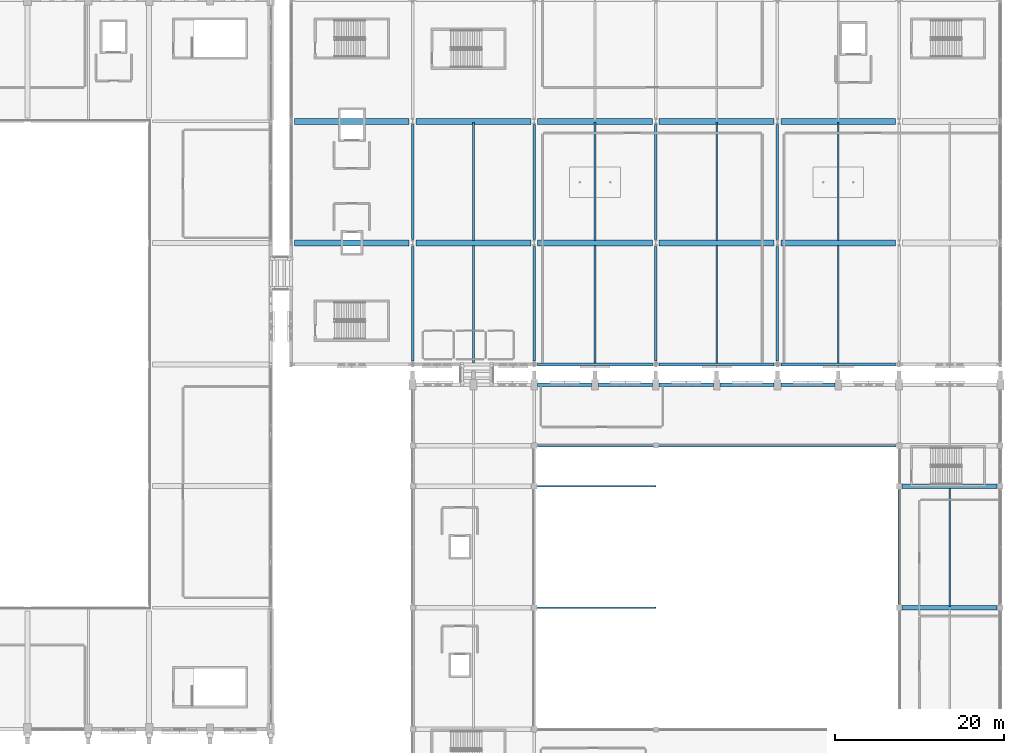
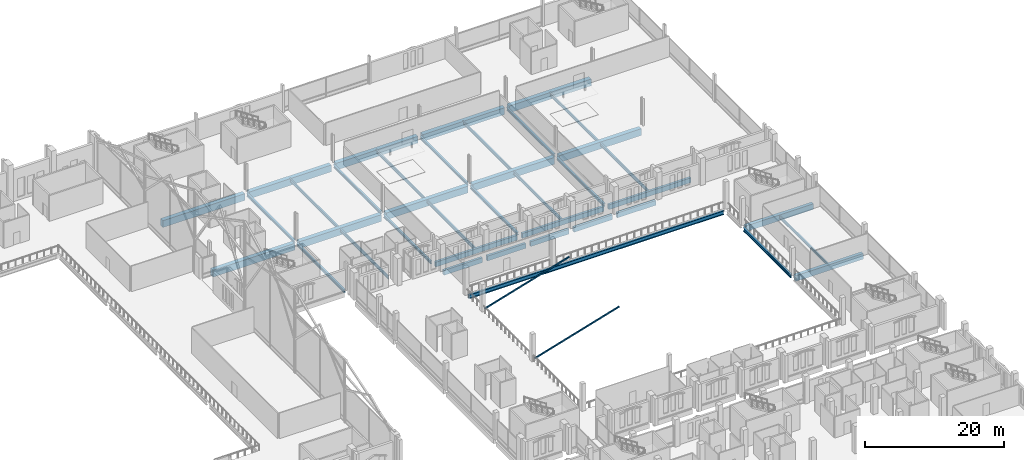
# One storey, part 110 of 220: 39 beams, 2 members.
"""IFC4 building model written with IfcOpenShell, lengths in metres."""

from ifc_helpers import new_model, si_unit, direction, frame, origin, origin_2d, place, context, subcontext, project, spatial, rectangle, hollow_rectangle, i_section, extrude, material, material_profile, profile_set, type_object, element, save


model = new_model("IFC4")

# Units and contexts
model_context = context("Model", 3, precision=1e-05, world=origin(), true_north=direction((0.0, 1.0)))
body_context = subcontext(model_context, "Body", "Model", "MODEL_VIEW")
ifc_project = project(units=[si_unit("LENGTHUNIT", "METRE"), si_unit("AREAUNIT", "SQUARE_METRE"), si_unit("VOLUMEUNIT", "CUBIC_METRE"), si_unit("PLANEANGLEUNIT", "RADIAN"), si_unit("MASSUNIT", "GRAM", prefix="KILO")], contexts=[model_context])

# Site, building, storey
site_placement = place(None, origin())
site = spatial("IfcSite", under=ifc_project, at=site_placement, CompositionType="ELEMENT")
building_placement = place(site_placement, origin())
building = spatial("IfcBuilding", under=site, at=building_placement, Name="Cendralis Lancet Convention Centre", CompositionType="ELEMENT")
storey_placement = place(building_placement, frame((0.0, 0.0, 5.39990234375)))
storey = spatial("IfcBuildingStorey", under=building, at=storey_placement, Name="L01", CompositionType="ELEMENT", Elevation=5.39990234375)

# Beams
ifc_material_1 = material(Name="Concrete G40 (C40/50)", Category="concrete")
ifc_material_profile_1 = material_profile(ifc_material_1, rectangle(XDim=0.699951171875, YDim=1.199951171875, at=origin_2d()), Name="RCB 700x1200")
ifc_profile_set_1 = profile_set([ifc_material_profile_1], Name="Concrete G40 (C40/50)")
beam_type_1 = type_object("IfcBeamType", Name="STR-BM-BG01", PredefinedType="BEAM", material=ifc_profile_set_1)
beam_1_placement = place(storey_placement, frame((125.199951171875, 108.0, -0.8798828125), z_axis=(1.0, 0.0, 0.0), x_axis=(0.0, 1.0, 0.0)))
element("IfcBeam", 1, at=beam_1_placement, inside=storey, type_object=beam_type_1, Name="L01 Beam BG01 #1645", PredefinedType="BEAM", context=body_context, shape_type="SweptSolid", body=[
    extrude(rectangle(XDim=0.699951171875, YDim=1.199951171875, at=origin_2d()), origin(), (0.0, 0.0, 1.0), 13.60009765625),
])
beam_2_placement = place(storey_placement, frame((139.60009765625, 108.0, -0.8798828125), z_axis=(1.0, 0.0, 0.0), x_axis=(0.0, 1.0, 0.0)))
element("IfcBeam", 2, at=beam_2_placement, inside=storey, type_object=beam_type_1, Name="L01 Beam BG01 #1646", PredefinedType="BEAM", context=body_context, shape_type="SweptSolid", body=[
    extrude(rectangle(XDim=0.699951171875, YDim=1.199951171875, at=origin_2d()), origin(), (0.0, 0.0, 1.0), 13.599853515625),
])
for number, where, z_axis, x_axis, name in (
    (3, (154.0, 108.0, -0.8798828125), (1.0, 0.0, 0.0), (0.0, 1.0, 0.0), "L01 Beam BG01 #1647"),
    (4, (168.39990234375, 108.0, -0.8798828125), (1.0, 0.0, 0.0), (0.0, 1.0, 0.0), "L01 Beam BG01 #1648"),
):
    element("IfcBeam", number, at=place(storey_placement, frame(where, z_axis=z_axis, x_axis=x_axis)), inside=storey, type_object=beam_type_1, Name=name, PredefinedType="BEAM", context=body_context, shape_type="SweptSolid", body=[
        extrude(rectangle(XDim=0.699951171875, YDim=1.199951171875, at=origin_2d()), origin(), (0.0, 0.0, 1.0), 13.60009765625),
    ])
beam_3_placement = place(storey_placement, frame((182.800048828125, 108.0, -0.8798828125), z_axis=(1.0, 0.0, 0.0), x_axis=(0.0, 1.0, 0.0)))
element("IfcBeam", 5, at=beam_3_placement, inside=storey, type_object=beam_type_1, Name="L01 Beam BG01 #1649", PredefinedType="BEAM", context=body_context, shape_type="SweptSolid", body=[
    extrude(rectangle(XDim=0.699951171875, YDim=1.199951171875, at=origin_2d()), origin(), (0.0, 0.0, 1.0), 13.599853515625),
])
beam_4_placement = place(storey_placement, frame((125.199951171875, 122.39990234375, -0.8798828125), z_axis=(1.0, 0.0, 0.0), x_axis=(0.0, 1.0, 0.0)))
element("IfcBeam", 6, at=beam_4_placement, inside=storey, type_object=beam_type_1, Name="L01 Beam BG01 #1651", PredefinedType="BEAM", context=body_context, shape_type="SweptSolid", body=[
    extrude(rectangle(XDim=0.699951171875, YDim=1.199951171875, at=origin_2d()), origin(), (0.0, 0.0, 1.0), 13.60009765625),
])
beam_5_placement = place(storey_placement, frame((139.60009765625, 122.39990234375, -0.8798828125), z_axis=(1.0, 0.0, 0.0), x_axis=(0.0, 1.0, 0.0)))
element("IfcBeam", 7, at=beam_5_placement, inside=storey, type_object=beam_type_1, Name="L01 Beam BG01 #1652", PredefinedType="BEAM", context=body_context, shape_type="SweptSolid", body=[
    extrude(rectangle(XDim=0.699951171875, YDim=1.199951171875, at=origin_2d()), origin(), (0.0, 0.0, 1.0), 13.599853515625),
])
for number, where, z_axis, x_axis, name in (
    (8, (154.0, 122.39990234375, -0.8798828125), (1.0, 0.0, 0.0), (0.0, 1.0, 0.0), "L01 Beam BG01 #1653"),
    (9, (168.39990234375, 122.39990234375, -0.8798828125), (1.0, 0.0, 0.0), (0.0, 1.0, 0.0), "L01 Beam BG01 #1654"),
):
    element("IfcBeam", number, at=place(storey_placement, frame(where, z_axis=z_axis, x_axis=x_axis)), inside=storey, type_object=beam_type_1, Name=name, PredefinedType="BEAM", context=body_context, shape_type="SweptSolid", body=[
        extrude(rectangle(XDim=0.699951171875, YDim=1.199951171875, at=origin_2d()), origin(), (0.0, 0.0, 1.0), 13.60009765625),
    ])
beam_6_placement = place(storey_placement, frame((182.800048828125, 122.39990234375, -0.8798828125), z_axis=(1.0, 0.0, 0.0), x_axis=(0.0, 1.0, 0.0)))
element("IfcBeam", 10, at=beam_6_placement, inside=storey, type_object=beam_type_1, Name="L01 Beam BG01 #1655", PredefinedType="BEAM", context=body_context, shape_type="SweptSolid", body=[
    extrude(rectangle(XDim=0.699951171875, YDim=1.199951171875, at=origin_2d()), origin(), (0.0, 0.0, 1.0), 13.599853515625),
])
ifc_material_profile_2 = material_profile(ifc_material_1, rectangle(XDim=0.550048828125, YDim=1.0, at=origin_2d()), Name="RCB 550x1000")
ifc_profile_set_2 = profile_set([ifc_material_profile_2], Name="Concrete G40 (C40/50)")
beam_type_2 = type_object("IfcBeamType", Name="STR-BM-BG05", PredefinedType="BEAM", material=ifc_profile_set_2)
for number, where, z_axis, x_axis, name in (
    (11, (197.175048828125, 64.800048828125, -0.77978515625), (1.0, 0.0, 0.0), (0.0, 1.0, 0.0), "L01 Beam BG05 #1416"),
    (12, (197.175048828125, 79.199951171875, -0.77978515625), (1.0, 0.0, 0.0), (0.0, 1.0, 0.0), "L01 Beam BG05 #1418"),
):
    element("IfcBeam", number, at=place(storey_placement, frame(where, z_axis=z_axis, x_axis=x_axis)), inside=storey, type_object=beam_type_2, Name=name, PredefinedType="BEAM", context=body_context, shape_type="SweptSolid", body=[
        extrude(rectangle(XDim=0.550048828125, YDim=1.0, at=origin_2d()), origin(), (0.0, 0.0, 1.0), 11.25),
    ])
ifc_material_2 = material(Name="Steel S355", Category="steel")
ifc_material_profile_3 = material_profile(ifc_material_2, i_section(OverallWidth=0.300048828125, OverallDepth=0.699951171875, WebThickness=0.01708984375, FlangeThickness=0.031982421875, FilletRadius=0.027099609375, at=origin_2d()), Name="HEB 700")
ifc_profile_set_3 = profile_set([ifc_material_profile_3], Name="Steel S355")
beam_type_3 = type_object("IfcBeamType", Name="STR-BM-SG07", PredefinedType="BEAM", material=ifc_profile_set_3)
beam_7_placement = place(storey_placement, frame((153.97509765625, 84.0, -0.6298828125), z_axis=(1.0, 0.0, 0.0), x_axis=(0.0, 1.0, 0.0)))
element("IfcBeam", 13, at=beam_7_placement, inside=storey, type_object=beam_type_3, Name="L01 Beam SG07 #1420", PredefinedType="BEAM", context=body_context, shape_type="SweptSolid", body=[
    extrude(i_section(OverallWidth=0.300048828125, OverallDepth=0.699951171875, WebThickness=0.01708984375, FlangeThickness=0.031982421875, FilletRadius=0.027099609375, at=origin_2d()), origin(), (0.0, 0.0, 1.0), 42.449951171875),
])
ifc_material_profile_4 = material_profile(ifc_material_2, i_section(OverallWidth=0.300048828125, OverallDepth=0.590087890625, WebThickness=0.012939453125, FlangeThickness=0.02490234375, FilletRadius=0.027099609375, at=origin_2d()), Name="HEA 600")
ifc_profile_set_4 = profile_set([ifc_material_profile_4], Name="Steel S355")
beam_type_4 = type_object("IfcBeamType", Name="STR-BM-SG10", PredefinedType="BEAM", material=ifc_profile_set_4)
beam_8_placement = place(storey_placement, frame((196.800048828125, 65.175048828125, -0.574951171875), z_axis=(0.0, 1.0, 0.0), x_axis=(-1.0, 0.0, 0.0)))
element("IfcBeam", 14, at=beam_8_placement, inside=storey, type_object=beam_type_4, Name="L01 Beam SG10 #1434", PredefinedType="BEAM", context=body_context, shape_type="SweptSolid", body=[
    extrude(i_section(OverallWidth=0.300048828125, OverallDepth=0.590087890625, WebThickness=0.012939453125, FlangeThickness=0.02490234375, FilletRadius=0.027099609375, at=origin_2d()), origin(), (0.0, 0.0, 1.0), 13.64990234375),
])
ifc_material_profile_5 = material_profile(ifc_material_2, i_section(OverallWidth=0.300048828125, OverallDepth=0.489990234375, WebThickness=0.011962890625, FlangeThickness=0.02294921875, FilletRadius=0.027099609375, at=origin_2d()), Name="HEA 500")
ifc_profile_set_5 = profile_set([ifc_material_profile_5], Name="Steel S355")
beam_type_5 = type_object("IfcBeamType", Name="STR-BM-SG12", PredefinedType="BEAM", material=ifc_profile_set_5)
for number, where, z_axis, x_axis, name in (
    (15, (139.199951171875, 94.0, -0.52490234375), (0.0, 1.0, 0.0), (-1.0, 0.0, 0.0), "L01 Beam SG12 #1666"),
    (16, (139.199951171875, 108.39990234375, -0.52490234375), (0.0, 1.0, 0.0), (-1.0, 0.0, 0.0), "L01 Beam SG12 #1667"),
    (17, (153.60009765625, 94.0, -0.52490234375), (0.0, 1.0, 0.0), (-1.0, 0.0, 0.0), "L01 Beam SG12 #1669"),
    (18, (153.60009765625, 108.39990234375, -0.52490234375), (0.0, 1.0, 0.0), (-1.0, 0.0, 0.0), "L01 Beam SG12 #1670"),
    (19, (168.0, 94.0, -0.52490234375), (0.0, 1.0, 0.0), (-1.0, 0.0, 0.0), "L01 Beam SG12 #1672"),
    (20, (168.0, 108.39990234375, -0.52490234375), (0.0, 1.0, 0.0), (-1.0, 0.0, 0.0), "L01 Beam SG12 #1673"),
    (21, (182.39990234375, 94.0, -0.52490234375), (0.0, 1.0, 0.0), (-1.0, 0.0, 0.0), "L01 Beam SG12 #1675"),
    (22, (182.39990234375, 108.39990234375, -0.52490234375), (0.0, 1.0, 0.0), (-1.0, 0.0, 0.0), "L01 Beam SG12 #1676"),
):
    element("IfcBeam", number, at=place(storey_placement, frame(where, z_axis=z_axis, x_axis=x_axis)), inside=storey, type_object=beam_type_5, Name=name, PredefinedType="BEAM", context=body_context, shape_type="SweptSolid", body=[
        extrude(i_section(OverallWidth=0.300048828125, OverallDepth=0.489990234375, WebThickness=0.011962890625, FlangeThickness=0.02294921875, FilletRadius=0.027099609375, at=origin_2d()), origin(), (0.0, 0.0, 1.0), 13.60009765625),
    ])

# Members
ifc_material_profile_6 = material_profile(ifc_material_2, hollow_rectangle(XDim=0.199951171875, YDim=0.199951171875, WallThickness=0.010009765625, at=origin_2d()), Name="SHS 200x200x10.0")
ifc_profile_set_6 = profile_set([ifc_material_profile_6], Name="Steel S355")
member_type = type_object("IfcMemberType", Name="STR-BR-ST01", PredefinedType="STRUT", material=ifc_profile_set_6)
for number, where, z_axis, x_axis, name in (
    (23, (153.925048828125, 64.800048828125, 0.2001953125), (0.958247498804, 0.0, 0.285940082946), (0.0, 1.0, 0.0), "Plenary Upper Stand Knee-Brace Strut ST01-02"),
    (24, (153.925048828125, 79.199951171875, 0.2001953125), (0.958247498804, 0.0, 0.285940082946), (0.0, 1.0, 0.0), "Plenary Upper Stand Knee-Brace Strut ST01-03"),
):
    element("IfcMember", number, at=place(storey_placement, frame(where, z_axis=z_axis, x_axis=x_axis)), inside=storey, type_object=member_type, Name=name, PredefinedType="STRUT", context=body_context, shape_type="SweptSolid", body=[
        extrude(hollow_rectangle(XDim=0.199951171875, YDim=0.199951171875, WallThickness=0.010009765625, at=origin_2d()), origin(), (0.0, 0.0, 1.0), 14.688232421875),
    ])

# Beams
ifc_material_profile_7 = material_profile(ifc_material_2, i_section(OverallWidth=0.2099609375, OverallDepth=0.550048828125, WebThickness=0.010986328125, FlangeThickness=0.01708984375, FilletRadius=0.02392578125, at=origin_2d()), Name="IPE 550")
ifc_profile_set_7 = profile_set([ifc_material_profile_7], Name="Steel S355")
beam_type_6 = type_object("IfcBeamType", Name="STR-JS-BJ05", PredefinedType="JOIST", material=ifc_profile_set_7)
beam_9_placement = place(storey_placement, frame((146.39990234375, 93.800048828125, -0.554931640625), z_axis=(0.0, 1.0, 0.0), x_axis=(-1.0, 0.0, 0.0)))
element("IfcBeam", 25, at=beam_9_placement, inside=storey, type_object=beam_type_6, Name="L01 Beam BJ05 #1684", PredefinedType="JOIST", context=body_context, shape_type="SweptSolid", body=[
    extrude(i_section(OverallWidth=0.2099609375, OverallDepth=0.550048828125, WebThickness=0.010986328125, FlangeThickness=0.01708984375, FilletRadius=0.02392578125, at=origin_2d()), origin(), (0.0, 0.0, 1.0), 13.89990234375),
])
beam_10_placement = place(storey_placement, frame((146.39990234375, 108.300048828125, -0.554931640625), z_axis=(0.0, 1.0, 0.0), x_axis=(-1.0, 0.0, 0.0)))
element("IfcBeam", 26, at=beam_10_placement, inside=storey, type_object=beam_type_6, Name="L01 Beam BJ05 #1685", PredefinedType="JOIST", context=body_context, shape_type="SweptSolid", body=[
    extrude(i_section(OverallWidth=0.2099609375, OverallDepth=0.550048828125, WebThickness=0.010986328125, FlangeThickness=0.01708984375, FilletRadius=0.02392578125, at=origin_2d()), origin(), (0.0, 0.0, 1.0), 13.949951171875),
])
beam_11_placement = place(storey_placement, frame((160.800048828125, 93.800048828125, -0.554931640625), z_axis=(0.0, 1.0, 0.0), x_axis=(-1.0, 0.0, 0.0)))
element("IfcBeam", 27, at=beam_11_placement, inside=storey, type_object=beam_type_6, Name="L01 Beam BJ05 #1686", PredefinedType="JOIST", context=body_context, shape_type="SweptSolid", body=[
    extrude(i_section(OverallWidth=0.2099609375, OverallDepth=0.550048828125, WebThickness=0.010986328125, FlangeThickness=0.01708984375, FilletRadius=0.02392578125, at=origin_2d()), origin(), (0.0, 0.0, 1.0), 13.89990234375),
])
beam_12_placement = place(storey_placement, frame((160.800048828125, 108.300048828125, -0.554931640625), z_axis=(0.0, 1.0, 0.0), x_axis=(-1.0, 0.0, 0.0)))
element("IfcBeam", 28, at=beam_12_placement, inside=storey, type_object=beam_type_6, Name="L01 Beam BJ05 #1687", PredefinedType="JOIST", context=body_context, shape_type="SweptSolid", body=[
    extrude(i_section(OverallWidth=0.2099609375, OverallDepth=0.550048828125, WebThickness=0.010986328125, FlangeThickness=0.01708984375, FilletRadius=0.02392578125, at=origin_2d()), origin(), (0.0, 0.0, 1.0), 13.949951171875),
])
beam_13_placement = place(storey_placement, frame((175.199951171875, 93.800048828125, -0.554931640625), z_axis=(0.0, 1.0, 0.0), x_axis=(-1.0, 0.0, 0.0)))
element("IfcBeam", 29, at=beam_13_placement, inside=storey, type_object=beam_type_6, Name="L01 Beam BJ05 #1689", PredefinedType="JOIST", context=body_context, shape_type="SweptSolid", body=[
    extrude(i_section(OverallWidth=0.2099609375, OverallDepth=0.550048828125, WebThickness=0.010986328125, FlangeThickness=0.01708984375, FilletRadius=0.02392578125, at=origin_2d()), origin(), (0.0, 0.0, 1.0), 13.89990234375),
])
beam_14_placement = place(storey_placement, frame((175.199951171875, 108.300048828125, -0.554931640625), z_axis=(0.0, 1.0, 0.0), x_axis=(-1.0, 0.0, 0.0)))
element("IfcBeam", 30, at=beam_14_placement, inside=storey, type_object=beam_type_6, Name="L01 Beam BJ05 #1690", PredefinedType="JOIST", context=body_context, shape_type="SweptSolid", body=[
    extrude(i_section(OverallWidth=0.2099609375, OverallDepth=0.550048828125, WebThickness=0.010986328125, FlangeThickness=0.01708984375, FilletRadius=0.02392578125, at=origin_2d()), origin(), (0.0, 0.0, 1.0), 13.949951171875),
])
beam_15_placement = place(storey_placement, frame((189.60009765625, 93.800048828125, -0.554931640625), z_axis=(0.0, 1.0, 0.0), x_axis=(-1.0, 0.0, 0.0)))
element("IfcBeam", 31, at=beam_15_placement, inside=storey, type_object=beam_type_6, Name="L01 Beam BJ05 #1692", PredefinedType="JOIST", context=body_context, shape_type="SweptSolid", body=[
    extrude(i_section(OverallWidth=0.2099609375, OverallDepth=0.550048828125, WebThickness=0.010986328125, FlangeThickness=0.01708984375, FilletRadius=0.02392578125, at=origin_2d()), origin(), (0.0, 0.0, 1.0), 13.89990234375),
])
beam_16_placement = place(storey_placement, frame((189.60009765625, 108.300048828125, -0.554931640625), z_axis=(0.0, 1.0, 0.0), x_axis=(-1.0, 0.0, 0.0)))
element("IfcBeam", 32, at=beam_16_placement, inside=storey, type_object=beam_type_6, Name="L01 Beam BJ05 #1693", PredefinedType="JOIST", context=body_context, shape_type="SweptSolid", body=[
    extrude(i_section(OverallWidth=0.2099609375, OverallDepth=0.550048828125, WebThickness=0.010986328125, FlangeThickness=0.01708984375, FilletRadius=0.02392578125, at=origin_2d()), origin(), (0.0, 0.0, 1.0), 13.949951171875),
])
ifc_material_profile_8 = material_profile(ifc_material_2, i_section(OverallWidth=0.199951171875, OverallDepth=0.5, WebThickness=0.01025390625, FlangeThickness=0.01611328125, FilletRadius=0.02099609375, at=origin_2d()), Name="IPE 500")
ifc_profile_set_8 = profile_set([ifc_material_profile_8], Name="Steel S355")
beam_type_7 = type_object("IfcBeamType", Name="STR-JS-BJ06", PredefinedType="JOIST", material=ifc_profile_set_8)
beam_17_placement = place(storey_placement, frame((202.800048828125, 64.949951171875, -0.52978515625), z_axis=(0.0, 1.0, 0.0), x_axis=(-1.0, 0.0, 0.0)))
element("IfcBeam", 33, at=beam_17_placement, inside=storey, type_object=beam_type_7, Name="L01 Beam BJ06 #1447", PredefinedType="JOIST", context=body_context, shape_type="SweptSolid", body=[
    extrude(i_section(OverallWidth=0.199951171875, OverallDepth=0.5, WebThickness=0.01025390625, FlangeThickness=0.01611328125, FilletRadius=0.02099609375, at=origin_2d()), origin(), (0.0, 0.0, 1.0), 13.97509765625),
])
ifc_material_profile_9 = material_profile(ifc_material_1, rectangle(XDim=0.39990234375, YDim=0.85009765625, at=origin_2d()), Name="RCB 400x850")
ifc_profile_set_9 = profile_set([ifc_material_profile_9], Name="Concrete G40 (C40/50)")
beam_type_8 = type_object("IfcBeamType", Name="STR-SP-SP02", PredefinedType="SPANDREL", material=ifc_profile_set_9)
beam_18_placement = place(storey_placement, frame((154.0, 91.199951171875, -0.704833984375), z_axis=(1.0, 0.0, 0.0), x_axis=(0.0, 1.0, 0.0)))
element("IfcBeam", 34, at=beam_18_placement, inside=storey, type_object=beam_type_8, Name="L01 Beam SP02 #1405", PredefinedType="SPANDREL", context=body_context, shape_type="SweptSolid", body=[
    extrude(rectangle(XDim=0.39990234375, YDim=0.85009765625, at=origin_2d()), origin(), (0.0, 0.0, 1.0), 6.39990234375),
])
for number, where, z_axis, x_axis, name in (
    (35, (161.199951171875, 91.199951171875, -0.704833984375), (1.0, 0.0, 0.0), (0.0, 1.0, 0.0), "L01 Beam SP02 #1406"),
    (36, (168.39990234375, 91.199951171875, -0.704833984375), (1.0, 0.0, 0.0), (0.0, 1.0, 0.0), "L01 Beam SP02 #1407"),
):
    element("IfcBeam", number, at=place(storey_placement, frame(where, z_axis=z_axis, x_axis=x_axis)), inside=storey, type_object=beam_type_8, Name=name, PredefinedType="SPANDREL", context=body_context, shape_type="SweptSolid", body=[
        extrude(rectangle(XDim=0.39990234375, YDim=0.85009765625, at=origin_2d()), origin(), (0.0, 0.0, 1.0), 6.400146484375),
    ])
for number, where, z_axis, x_axis, name in (
    (37, (175.60009765625, 91.199951171875, -0.704833984375), (1.0, 0.0, 0.0), (0.0, 1.0, 0.0), "L01 Beam SP02 #1408"),
    (38, (182.800048828125, 91.199951171875, -0.704833984375), (1.0, 0.0, 0.0), (0.0, 1.0, 0.0), "L01 Beam SP02 #1409"),
):
    element("IfcBeam", number, at=place(storey_placement, frame(where, z_axis=z_axis, x_axis=x_axis)), inside=storey, type_object=beam_type_8, Name=name, PredefinedType="SPANDREL", context=body_context, shape_type="SweptSolid", body=[
        extrude(rectangle(XDim=0.39990234375, YDim=0.85009765625, at=origin_2d()), origin(), (0.0, 0.0, 1.0), 6.39990234375),
    ])
for number, where, z_axis, x_axis, name in (
    (39, (154.0, 93.60009765625, -0.704833984375), (1.0, 0.0, 0.0), (0.0, 1.0, 0.0), "L01 Beam SP02 #1641"),
    (40, (168.39990234375, 93.60009765625, -0.704833984375), (1.0, 0.0, 0.0), (0.0, 1.0, 0.0), "L01 Beam SP02 #1642"),
):
    element("IfcBeam", number, at=place(storey_placement, frame(where, z_axis=z_axis, x_axis=x_axis)), inside=storey, type_object=beam_type_8, Name=name, PredefinedType="SPANDREL", context=body_context, shape_type="SweptSolid", body=[
        extrude(rectangle(XDim=0.39990234375, YDim=0.85009765625, at=origin_2d()), origin(), (0.0, 0.0, 1.0), 13.60009765625),
    ])
beam_19_placement = place(storey_placement, frame((182.800048828125, 93.60009765625, -0.704833984375), z_axis=(1.0, 0.0, 0.0), x_axis=(0.0, 1.0, 0.0)))
element("IfcBeam", 41, at=beam_19_placement, inside=storey, type_object=beam_type_8, Name="L01 Beam SP02 #1643", PredefinedType="SPANDREL", context=body_context, shape_type="SweptSolid", body=[
    extrude(rectangle(XDim=0.39990234375, YDim=0.85009765625, at=origin_2d()), origin(), (0.0, 0.0, 1.0), 13.599853515625),
])

save(model, "model.ifc")
